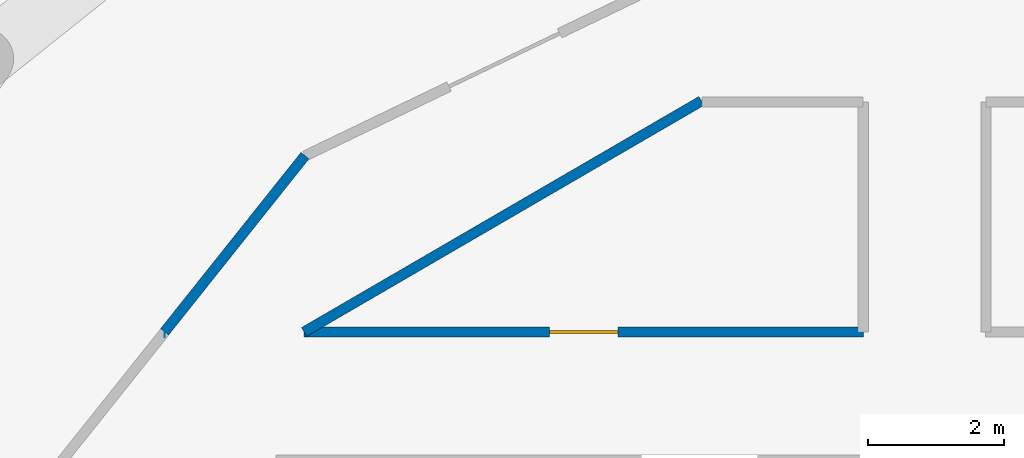
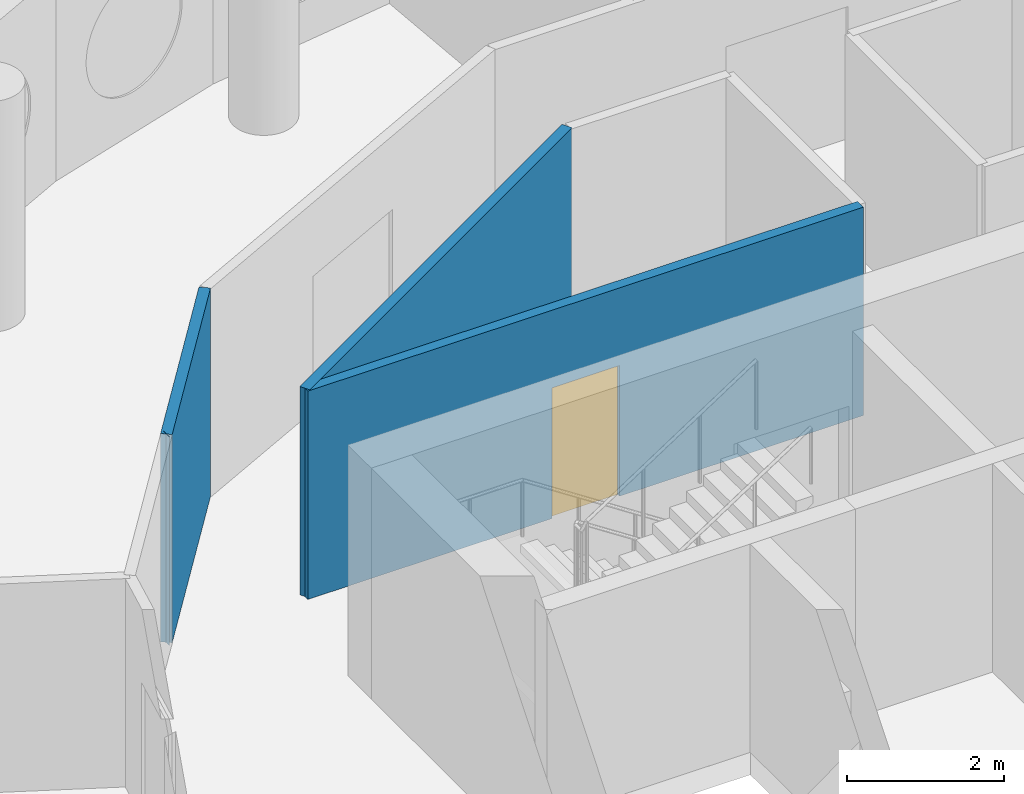
# One storey, part 7 of 12: 4 walls, 1 door, 1 opening.
"""IFC4 building model written with IfcOpenShell, lengths in metres."""

from ifc_helpers import new_model, si_unit, direction, frame, frame_2d, origin, place, context, subcontext, project, spatial, rectangle, extrude, material, layer, layer_set, type_object, element, fill, save


model = new_model("IFC4")

# Units and contexts
model_context = context("Model", 3, precision=1e-05, world=origin(), true_north=direction((0.0, 1.0)))
body_context = subcontext(model_context, "Body", "Model", "MODEL_VIEW")
ifc_project = project(units=[si_unit("LENGTHUNIT", "METRE"), si_unit("AREAUNIT", "SQUARE_METRE"), si_unit("VOLUMEUNIT", "CUBIC_METRE"), si_unit("PLANEANGLEUNIT", "RADIAN"), si_unit("MASSUNIT", "GRAM", prefix="KILO")], contexts=[model_context])

# Site, building, storey
site_placement = place(None, origin())
site = spatial("IfcSite", under=ifc_project, at=site_placement, CompositionType="ELEMENT")
building_placement = place(site_placement, origin())
building = spatial("IfcBuilding", under=site, at=building_placement, Name="Tracery Tower", CompositionType="ELEMENT")
storey_placement = place(building_placement, frame((0.0, 0.0, 291.0)))
storey = spatial("IfcBuildingStorey", under=building, at=storey_placement, Name="L75", CompositionType="ELEMENT", Elevation=291.0)

# Wall
ifc_material_1 = material(Name="Plasterboard on steel studs", Category="steel")
ifc_layer = layer(ifc_material_1, 0.14990234375)
ifc_layer_set = layer_set([ifc_layer], Name="Partition 150 corridor wall")
wall_type = type_object("IfcWallType", Name="Partition 150 corridor wall", PredefinedType="PARTITIONING", material=ifc_layer_set)
wall_1_placement = place(storey_placement, frame((-9.092041015625, 8.800048828125, 0.0), z_axis=(0.0, 0.0, 1.0), x_axis=(0.864470922103, 0.502682827277, 0.0)))
element("IfcWall", 1, at=wall_1_placement, inside=storey, type_object=wall_type, Name="Corridor wall RC6-001", PredefinedType="PARTITIONING", context=body_context, shape_type="SweptSolid", body=[
    extrude(rectangle(XDim=6.7353515625, YDim=0.14990234375, at=frame_2d((3.36767578125, 0.0))), origin(), (0.0, 0.0, 1.0), 3.25),
])

# Wall, opening, door
wall_2_placement = place(storey_placement, frame((-9.092041015625, 8.800048828125, 0.0), z_axis=(0.0, 0.0, 1.0), x_axis=(1.0, 0.0, 0.0)))
wall_2 = element("IfcWall", 2, at=wall_2_placement, inside=storey, type_object=wall_type, Name="Corridor wall RC6-002", PredefinedType="PARTITIONING", context=body_context, shape_type="SweptSolid", body=[
    extrude(rectangle(XDim=8.196044921875, YDim=0.14990234375, at=frame_2d((4.09814453125, 0.0))), origin(), (0.0, 0.0, 1.0), 3.25),
])
opening_placement = place(wall_2_placement, frame((3.597900390625, 0.0, 0.0)))
opening = element("IfcOpeningElement", 3, at=opening_placement, cuts=wall_2, Name="Opening RC6-01", PredefinedType="OPENING", context=body_context, shape_type="SweptSolid", body=[
    extrude(rectangle(XDim=1.0, YDim=2.0400390625, at=frame_2d((0.5, 1.02001953125))), frame((0.0, 0.074951171875, 0.0), z_axis=(0.0, -1.0, 0.0), x_axis=(1.0, 0.0, 0.0)), (0.0, 0.0, 1.0), 0.14990234375),
])
ifc_material_2 = material(Name="Timber door leaf", Category="wood")
door_type = type_object("IfcDoorType", Name="Door communal room 1000", OperationType="NOTDEFINED", PredefinedType="DOOR", material=ifc_material_2)
door_placement = place(opening_placement, origin())
door = element("IfcDoor", 4, at=door_placement, inside=storey, type_object=door_type, Name="Communal room door RC6-01", OperationType="SINGLE_SWING_RIGHT", OverallHeight=2.0400390625, OverallWidth=1.0, PredefinedType="DOOR", context=body_context, shape_type="SweptSolid", body=[
    extrude(rectangle(XDim=1.0, YDim=2.0400390625, at=frame_2d((0.5, 1.02001953125))), frame((0.0, 0.02490234375, 0.0), z_axis=(0.0, -1.0, 0.0), x_axis=(1.0, 0.0, 0.0)), (0.0, 0.0, 1.0), 0.050048828125),
])
fill(opening, door)

# Walls
wall_3_placement = place(storey_placement, frame((-11.134033203125, 8.800048828125, 0.0), z_axis=(0.0, 0.0, 1.0), x_axis=(-1.0, 0.0, 0.0)))
element("IfcWall", 5, at=wall_3_placement, inside=storey, type_object=wall_type, Name="Corridor wall RC6-009", PredefinedType="PARTITIONING", context=body_context, shape_type="SweptSolid", body=[
    extrude(rectangle(XDim=0.0029296875, YDim=0.14990234375, at=frame_2d((0.00146484375, 0.0))), origin(), (0.0, 0.0, 1.0), 3.25),
])
wall_4_placement = place(storey_placement, frame((-11.135986328125, 8.802001953125, 0.0), z_axis=(0.0, 0.0, 1.0), x_axis=(0.623151397235, 0.782101231379, 0.0)))
element("IfcWall", 6, at=wall_4_placement, inside=storey, type_object=wall_type, Name="Corridor wall RC6-010", PredefinedType="PARTITIONING", context=body_context, shape_type="SweptSolid", body=[
    extrude(rectangle(XDim=3.30078125, YDim=0.14990234375, at=frame_2d((1.650390625, 0.0))), origin(), (0.0, 0.0, 1.0), 3.25),
])

save(model, "model.ifc")
